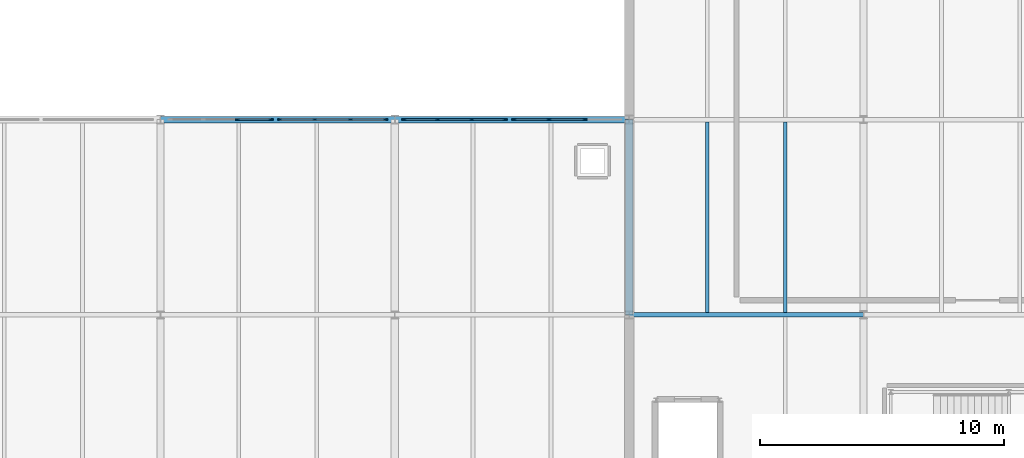
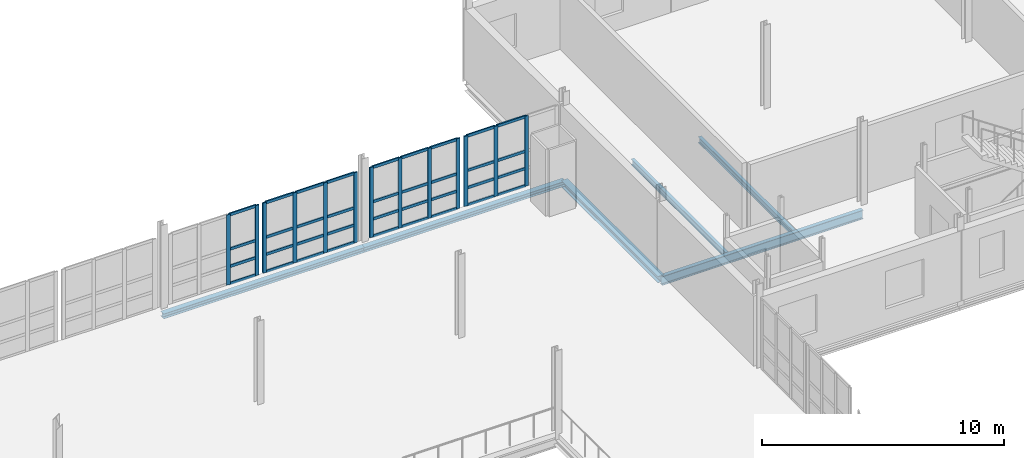
# One storey, part 37 of 73: 49 members, 6 beams, 4 elements without a shape of their own.
"""IFC4 building model written with IfcOpenShell, lengths in metres."""

from ifc_helpers import new_model, si_unit, direction, frame, origin, origin_2d, place, context, subcontext, project, spatial, rectangle, i_section, extrude, material, layer, layer_set, material_profile, profile_set, type_object, element, aggregate, save


model = new_model("IFC4")

# Units and contexts
model_context = context("Model", 3, precision=1e-05, world=origin(), true_north=direction((0.0, 1.0)))
body_context = subcontext(model_context, "Body", "Model", "MODEL_VIEW")
ifc_project = project(units=[si_unit("LENGTHUNIT", "METRE"), si_unit("AREAUNIT", "SQUARE_METRE"), si_unit("VOLUMEUNIT", "CUBIC_METRE"), si_unit("PLANEANGLEUNIT", "RADIAN"), si_unit("MASSUNIT", "GRAM", prefix="KILO")], contexts=[model_context])

# Site, building, storey
site_placement = place(None, origin())
site = spatial("IfcSite", under=ifc_project, at=site_placement, CompositionType="ELEMENT")
building_placement = place(site_placement, origin())
building = spatial("IfcBuilding", under=site, at=building_placement, Name="Alderhovde Museum", CompositionType="ELEMENT")
storey_placement = place(building_placement, frame((0.0, 0.0, 12.89990234375)))
storey = spatial("IfcBuildingStorey", under=building, at=storey_placement, Name="L03", CompositionType="ELEMENT", Elevation=12.89990234375)

# Beams
ifc_material_1 = material(Name="Steel S355J2", Category="steel")
ifc_material_profile_1 = material_profile(ifc_material_1, i_section(OverallWidth=0.300048828125, OverallDepth=0.330078125, WebThickness=0.009521484375, FlangeThickness=0.0166015625, FilletRadius=0.027099609375, at=origin_2d()), Name="HEA 340")
ifc_profile_set_1 = profile_set([ifc_material_profile_1], Name="Steel S355J2")
beam_type_1 = type_object("IfcBeamType", Name="BM-HEA340", PredefinedType="BEAM", material=ifc_profile_set_1)
beam_1_placement = place(storey_placement, frame((115.199951171875, 80.0, -0.48486328125), z_axis=(0.0, 1.0, 0.0), x_axis=(-1.0, 0.0, 0.0)))
element("IfcBeam", 1, at=beam_1_placement, inside=storey, type_object=beam_type_1, Name="L03 Grid Beam X=115.2 (80.0 TO 88.0)", PredefinedType="BEAM", context=body_context, shape_type="SweptSolid", body=[
    extrude(i_section(OverallWidth=0.300048828125, OverallDepth=0.330078125, WebThickness=0.009521484375, FlangeThickness=0.0166015625, FilletRadius=0.027099609375, at=origin_2d()), origin(), (0.0, 0.0, 1.0), 8.0),
])
ifc_material_2 = material(Name="Steel S355J2", Category="steel")
ifc_material_profile_2 = material_profile(ifc_material_2, i_section(OverallWidth=0.18994140625, OverallDepth=0.449951171875, WebThickness=0.009521484375, FlangeThickness=0.0146484375, FilletRadius=0.02099609375, at=origin_2d()), Name="IPE 450")
ifc_profile_set_2 = profile_set([ifc_material_profile_2], Name="Steel S355J2")
beam_type_2 = type_object("IfcBeamType", Name="BM-IPE450", PredefinedType="BEAM", material=ifc_profile_set_2)
beam_2_placement = place(storey_placement, frame((115.199951171875, 80.0, -0.544921875), z_axis=(1.0, 0.0, 0.0), x_axis=(0.0, 1.0, 0.0)))
element("IfcBeam", 2, at=beam_2_placement, inside=storey, type_object=beam_type_2, Name="L03 Grid Beam Y=80.0 (115.2 TO 124.8)", PredefinedType="BEAM", context=body_context, shape_type="SweptSolid", body=[
    extrude(i_section(OverallWidth=0.18994140625, OverallDepth=0.449951171875, WebThickness=0.009521484375, FlangeThickness=0.0146484375, FilletRadius=0.02099609375, at=origin_2d()), origin(), (0.0, 0.0, 1.0), 9.60009765625),
])

# Curtain wall, members
ifc_material_3 = material(Name="Triple-Glazed Bronze-Anodised Curtain Wall", Category="glass")
ifc_layer_1 = layer(ifc_material_3, 0.179931640625)
ifc_layer_set_1 = layer_set([ifc_layer_1], Name="Triple-Glazed Bronze-Anodised Curtain Wall")
curtain_wall_type_1 = type_object("IfcCurtainWallType", Name="CW-UNIT-420x354", PredefinedType="USERDEFINED", material=ifc_layer_set_1)
curtain_wall_1_placement = place(storey_placement, origin())
curtain_wall_1 = element("IfcCurtainWall", 3, at=curtain_wall_1_placement, inside=storey, type_object=curtain_wall_type_1, Name="L03 Unitised Curtain Wall 52", ObjectType="UNITISED CURTAIN WALL", PredefinedType="USERDEFINED")
ifc_material_4 = material(Name="Bronze-Anodised Aluminium EN AW-6063-T6", Category="aluminium")
ifc_material_profile_3 = material_profile(ifc_material_4, rectangle(XDim=0.06494140625, YDim=0.179931640625, at=origin_2d()), Name="MULLION 65x180")
ifc_profile_set_3 = profile_set([ifc_material_profile_3], Name="Bronze-Anodised Aluminium EN AW-6063-T6")
member_type_1 = type_object("IfcMemberType", Name="CWM-65x180", PredefinedType="MULLION", material=ifc_profile_set_3)
member_1_placement = place(storey_placement, frame((99.14990234375, 88.0, 0.0), z_axis=(0.0, 0.0, 1.0), x_axis=(0.0, 1.0, 0.0)))
member_1 = element("IfcMember", 4, at=member_1_placement, type_object=member_type_1, Name="CW15 mullion 3", PredefinedType="MULLION", context=body_context, shape_type="SweptSolid", body=[
    extrude(rectangle(XDim=0.06494140625, YDim=0.179931640625, at=origin_2d()), origin(), (0.0, 0.0, 1.0), 3.5400390625),
])
member_2_placement = place(storey_placement, frame((100.517578125, 88.0, 0.0), z_axis=(0.0, 0.0, 1.0), x_axis=(0.0, 1.0, 0.0)))
member_2 = element("IfcMember", 5, at=member_2_placement, type_object=member_type_1, Name="CW15 mullion 4", PredefinedType="MULLION", context=body_context, shape_type="SweptSolid", body=[
    extrude(rectangle(XDim=0.06494140625, YDim=0.179931640625, at=origin_2d()), origin(), (0.0, 0.0, 1.0), 3.5400390625),
])

ifc_material_5 = material(Name="Triple-Glazed Bronze-Anodised Curtain Wall", Category="glass")
ifc_layer_2 = layer(ifc_material_5, 0.179931640625)
ifc_layer_set_2 = layer_set([ifc_layer_2], Name="Triple-Glazed Bronze-Anodised Curtain Wall")
curtain_wall_type_2 = type_object("IfcCurtainWallType", Name="CW-UNIT-440x354", PredefinedType="USERDEFINED", material=ifc_layer_set_2)
curtain_wall_2_placement = place(storey_placement, origin())
curtain_wall_2 = element("IfcCurtainWall", 6, at=curtain_wall_2_placement, inside=storey, type_object=curtain_wall_type_2, Name="L03 Unitised Curtain Wall 53", ObjectType="UNITISED CURTAIN WALL", PredefinedType="USERDEFINED")
member_3_placement = place(storey_placement, frame((100.882568359375, 88.0, 0.0), z_axis=(0.0, 0.0, 1.0), x_axis=(0.0, 1.0, 0.0)))
member_3 = element("IfcMember", 7, at=member_3_placement, type_object=member_type_1, Name="CW16 mullion 1", PredefinedType="MULLION", context=body_context, shape_type="SweptSolid", body=[
    extrude(rectangle(XDim=0.06494140625, YDim=0.179931640625, at=origin_2d()), origin(), (0.0, 0.0, 1.0), 3.5400390625),
])
member_4_placement = place(storey_placement, frame((102.316650390625, 88.0, 0.0), z_axis=(0.0, 0.0, 1.0), x_axis=(0.0, 1.0, 0.0)))
member_4 = element("IfcMember", 8, at=member_4_placement, type_object=member_type_1, Name="CW16 mullion 2", PredefinedType="MULLION", context=body_context, shape_type="SweptSolid", body=[
    extrude(rectangle(XDim=0.06494140625, YDim=0.179931640625, at=origin_2d()), origin(), (0.0, 0.0, 1.0), 3.5400390625),
])
member_5_placement = place(storey_placement, frame((103.783447265625, 88.0, 0.0), z_axis=(0.0, 0.0, 1.0), x_axis=(0.0, 1.0, 0.0)))
member_5 = element("IfcMember", 9, at=member_5_placement, type_object=member_type_1, Name="CW16 mullion 3", PredefinedType="MULLION", context=body_context, shape_type="SweptSolid", body=[
    extrude(rectangle(XDim=0.06494140625, YDim=0.179931640625, at=origin_2d()), origin(), (0.0, 0.0, 1.0), 3.5400390625),
])
member_6_placement = place(storey_placement, frame((105.217529296875, 88.0, 0.0), z_axis=(0.0, 0.0, 1.0), x_axis=(0.0, 1.0, 0.0)))
member_6 = element("IfcMember", 10, at=member_6_placement, type_object=member_type_1, Name="CW16 mullion 4", PredefinedType="MULLION", context=body_context, shape_type="SweptSolid", body=[
    extrude(rectangle(XDim=0.06494140625, YDim=0.179931640625, at=origin_2d()), origin(), (0.0, 0.0, 1.0), 3.5400390625),
])

curtain_wall_3_placement = place(storey_placement, origin())
curtain_wall_3 = element("IfcCurtainWall", 11, at=curtain_wall_3_placement, inside=storey, type_object=curtain_wall_type_1, Name="L03 Unitised Curtain Wall 54", ObjectType="UNITISED CURTAIN WALL", PredefinedType="USERDEFINED")
member_7_placement = place(storey_placement, frame((105.982421875, 88.0, 0.0), z_axis=(0.0, 0.0, 1.0), x_axis=(0.0, 1.0, 0.0)))
member_7 = element("IfcMember", 12, at=member_7_placement, type_object=member_type_1, Name="CW15 mullion 1", PredefinedType="MULLION", context=body_context, shape_type="SweptSolid", body=[
    extrude(rectangle(XDim=0.06494140625, YDim=0.179931640625, at=origin_2d()), origin(), (0.0, 0.0, 1.0), 3.5400390625),
])
member_8_placement = place(storey_placement, frame((107.35009765625, 88.0, 0.0), z_axis=(0.0, 0.0, 1.0), x_axis=(0.0, 1.0, 0.0)))
member_8 = element("IfcMember", 13, at=member_8_placement, type_object=member_type_1, Name="CW15 mullion 2", PredefinedType="MULLION", context=body_context, shape_type="SweptSolid", body=[
    extrude(rectangle(XDim=0.06494140625, YDim=0.179931640625, at=origin_2d()), origin(), (0.0, 0.0, 1.0), 3.5400390625),
])
member_9_placement = place(storey_placement, frame((108.75, 88.0, 0.0), z_axis=(0.0, 0.0, 1.0), x_axis=(0.0, 1.0, 0.0)))
member_9 = element("IfcMember", 14, at=member_9_placement, type_object=member_type_1, Name="CW15 mullion 3", PredefinedType="MULLION", context=body_context, shape_type="SweptSolid", body=[
    extrude(rectangle(XDim=0.06494140625, YDim=0.179931640625, at=origin_2d()), origin(), (0.0, 0.0, 1.0), 3.5400390625),
])
member_10_placement = place(storey_placement, frame((110.117431640625, 88.0, 0.0), z_axis=(0.0, 0.0, 1.0), x_axis=(0.0, 1.0, 0.0)))
member_10 = element("IfcMember", 15, at=member_10_placement, type_object=member_type_1, Name="CW15 mullion 4", PredefinedType="MULLION", context=body_context, shape_type="SweptSolid", body=[
    extrude(rectangle(XDim=0.06494140625, YDim=0.179931640625, at=origin_2d()), origin(), (0.0, 0.0, 1.0), 3.5400390625),
])

curtain_wall_4_placement = place(storey_placement, origin())
curtain_wall_4 = element("IfcCurtainWall", 16, at=curtain_wall_4_placement, inside=storey, type_object=curtain_wall_type_2, Name="L03 Unitised Curtain Wall 55", ObjectType="UNITISED CURTAIN WALL", PredefinedType="USERDEFINED")
member_11_placement = place(storey_placement, frame((110.482421875, 88.0, 0.0), z_axis=(0.0, 0.0, 1.0), x_axis=(0.0, 1.0, 0.0)))
member_11 = element("IfcMember", 17, at=member_11_placement, type_object=member_type_1, Name="CW16 mullion 1", PredefinedType="MULLION", context=body_context, shape_type="SweptSolid", body=[
    extrude(rectangle(XDim=0.06494140625, YDim=0.179931640625, at=origin_2d()), origin(), (0.0, 0.0, 1.0), 3.5400390625),
])
member_12_placement = place(storey_placement, frame((111.916748046875, 88.0, 0.0), z_axis=(0.0, 0.0, 1.0), x_axis=(0.0, 1.0, 0.0)))
member_12 = element("IfcMember", 18, at=member_12_placement, type_object=member_type_1, Name="CW16 mullion 2", PredefinedType="MULLION", context=body_context, shape_type="SweptSolid", body=[
    extrude(rectangle(XDim=0.06494140625, YDim=0.179931640625, at=origin_2d()), origin(), (0.0, 0.0, 1.0), 3.5400390625),
])
member_13_placement = place(storey_placement, frame((113.38330078125, 88.0, 0.0), z_axis=(0.0, 0.0, 1.0), x_axis=(0.0, 1.0, 0.0)))
member_13 = element("IfcMember", 19, at=member_13_placement, type_object=member_type_1, Name="CW16 mullion 3", PredefinedType="MULLION", context=body_context, shape_type="SweptSolid", body=[
    extrude(rectangle(XDim=0.06494140625, YDim=0.179931640625, at=origin_2d()), origin(), (0.0, 0.0, 1.0), 3.5400390625),
])

# Member
ifc_material_6 = material(Name="Bronze-Anodised Aluminium EN AW-6063-T6", Category="aluminium")
ifc_material_profile_4 = material_profile(ifc_material_6, rectangle(XDim=0.06494140625, YDim=0.139892578125, at=origin_2d()), Name="TRANSOM 65x140")
ifc_profile_set_4 = profile_set([ifc_material_profile_4], Name="Bronze-Anodised Aluminium EN AW-6063-T6")
member_type_2 = type_object("IfcMemberType", Name="CWT-65x140", PredefinedType="USERDEFINED", material=ifc_profile_set_4)
member_14_placement = place(storey_placement, frame((99.1826171875, 88.0, 0.03271484375), z_axis=(1.0, 0.0, 0.0), x_axis=(0.0, 1.0, 0.0)))
member_14 = element("IfcMember", 20, at=member_14_placement, type_object=member_type_2, Name="CW15 transom 3.1", ObjectType="TRANSOM", PredefinedType="USERDEFINED", context=body_context, shape_type="SweptSolid", body=[
    extrude(rectangle(XDim=0.06494140625, YDim=0.139892578125, at=origin_2d()), origin(), (0.0, 0.0, 1.0), 1.302490234375),
])

member_15_placement = place(storey_placement, frame((99.1826171875, 88.0, 0.900146484375), z_axis=(1.0, 0.0, 0.0), x_axis=(0.0, 1.0, 0.0)))
member_15 = element("IfcMember", 21, at=member_15_placement, type_object=member_type_2, Name="CW15 transom 3.2", ObjectType="TRANSOM", PredefinedType="USERDEFINED", context=body_context, shape_type="SweptSolid", body=[
    extrude(rectangle(XDim=0.06494140625, YDim=0.139892578125, at=origin_2d()), origin(), (0.0, 0.0, 1.0), 1.302490234375),
])

member_16_placement = place(storey_placement, frame((99.1826171875, 88.0, 1.77001953125), z_axis=(1.0, 0.0, 0.0), x_axis=(0.0, 1.0, 0.0)))
member_16 = element("IfcMember", 22, at=member_16_placement, type_object=member_type_2, Name="CW15 transom 3.3", ObjectType="TRANSOM", PredefinedType="USERDEFINED", context=body_context, shape_type="SweptSolid", body=[
    extrude(rectangle(XDim=0.06494140625, YDim=0.139892578125, at=origin_2d()), origin(), (0.0, 0.0, 1.0), 1.302490234375),
])

member_17_placement = place(storey_placement, frame((99.1826171875, 88.0, 3.507568359375), z_axis=(1.0, 0.0, 0.0), x_axis=(0.0, 1.0, 0.0)))
member_17 = element("IfcMember", 23, at=member_17_placement, type_object=member_type_2, Name="CW15 transom 3.4", ObjectType="TRANSOM", PredefinedType="USERDEFINED", context=body_context, shape_type="SweptSolid", body=[
    extrude(rectangle(XDim=0.06494140625, YDim=0.139892578125, at=origin_2d()), origin(), (0.0, 0.0, 1.0), 1.302490234375),
])

aggregate(curtain_wall_1, [member_1, member_2, member_14, member_15, member_16, member_17])

member_18_placement = place(storey_placement, frame((100.9150390625, 88.0, 0.03271484375), z_axis=(1.0, 0.0, 0.0), x_axis=(0.0, 1.0, 0.0)))
member_18 = element("IfcMember", 24, at=member_18_placement, type_object=member_type_2, Name="CW16 transom 1.1", ObjectType="TRANSOM", PredefinedType="USERDEFINED", context=body_context, shape_type="SweptSolid", body=[
    extrude(rectangle(XDim=0.06494140625, YDim=0.139892578125, at=origin_2d()), origin(), (0.0, 0.0, 1.0), 1.369140625),
])

member_19_placement = place(storey_placement, frame((100.9150390625, 88.0, 0.900146484375), z_axis=(1.0, 0.0, 0.0), x_axis=(0.0, 1.0, 0.0)))
member_19 = element("IfcMember", 25, at=member_19_placement, type_object=member_type_2, Name="CW16 transom 1.2", ObjectType="TRANSOM", PredefinedType="USERDEFINED", context=body_context, shape_type="SweptSolid", body=[
    extrude(rectangle(XDim=0.06494140625, YDim=0.139892578125, at=origin_2d()), origin(), (0.0, 0.0, 1.0), 1.369140625),
])

member_20_placement = place(storey_placement, frame((100.9150390625, 88.0, 1.77001953125), z_axis=(1.0, 0.0, 0.0), x_axis=(0.0, 1.0, 0.0)))
member_20 = element("IfcMember", 26, at=member_20_placement, type_object=member_type_2, Name="CW16 transom 1.3", ObjectType="TRANSOM", PredefinedType="USERDEFINED", context=body_context, shape_type="SweptSolid", body=[
    extrude(rectangle(XDim=0.06494140625, YDim=0.139892578125, at=origin_2d()), origin(), (0.0, 0.0, 1.0), 1.369140625),
])

member_21_placement = place(storey_placement, frame((100.9150390625, 88.0, 3.507568359375), z_axis=(1.0, 0.0, 0.0), x_axis=(0.0, 1.0, 0.0)))
member_21 = element("IfcMember", 27, at=member_21_placement, type_object=member_type_2, Name="CW16 transom 1.4", ObjectType="TRANSOM", PredefinedType="USERDEFINED", context=body_context, shape_type="SweptSolid", body=[
    extrude(rectangle(XDim=0.06494140625, YDim=0.139892578125, at=origin_2d()), origin(), (0.0, 0.0, 1.0), 1.369140625),
])

member_22_placement = place(storey_placement, frame((102.34912109375, 88.0, 0.03271484375), z_axis=(1.0, 0.0, 0.0), x_axis=(0.0, 1.0, 0.0)))
member_22 = element("IfcMember", 28, at=member_22_placement, type_object=member_type_2, Name="CW16 transom 2.1", ObjectType="TRANSOM", PredefinedType="USERDEFINED", context=body_context, shape_type="SweptSolid", body=[
    extrude(rectangle(XDim=0.06494140625, YDim=0.139892578125, at=origin_2d()), origin(), (0.0, 0.0, 1.0), 1.401611328125),
])

member_23_placement = place(storey_placement, frame((102.34912109375, 88.0, 0.900146484375), z_axis=(1.0, 0.0, 0.0), x_axis=(0.0, 1.0, 0.0)))
member_23 = element("IfcMember", 29, at=member_23_placement, type_object=member_type_2, Name="CW16 transom 2.2", ObjectType="TRANSOM", PredefinedType="USERDEFINED", context=body_context, shape_type="SweptSolid", body=[
    extrude(rectangle(XDim=0.06494140625, YDim=0.139892578125, at=origin_2d()), origin(), (0.0, 0.0, 1.0), 1.401611328125),
])

member_24_placement = place(storey_placement, frame((102.34912109375, 88.0, 1.77001953125), z_axis=(1.0, 0.0, 0.0), x_axis=(0.0, 1.0, 0.0)))
member_24 = element("IfcMember", 30, at=member_24_placement, type_object=member_type_2, Name="CW16 transom 2.3", ObjectType="TRANSOM", PredefinedType="USERDEFINED", context=body_context, shape_type="SweptSolid", body=[
    extrude(rectangle(XDim=0.06494140625, YDim=0.139892578125, at=origin_2d()), origin(), (0.0, 0.0, 1.0), 1.401611328125),
])

member_25_placement = place(storey_placement, frame((102.34912109375, 88.0, 3.507568359375), z_axis=(1.0, 0.0, 0.0), x_axis=(0.0, 1.0, 0.0)))
member_25 = element("IfcMember", 31, at=member_25_placement, type_object=member_type_2, Name="CW16 transom 2.4", ObjectType="TRANSOM", PredefinedType="USERDEFINED", context=body_context, shape_type="SweptSolid", body=[
    extrude(rectangle(XDim=0.06494140625, YDim=0.139892578125, at=origin_2d()), origin(), (0.0, 0.0, 1.0), 1.401611328125),
])

member_26_placement = place(storey_placement, frame((103.81591796875, 88.0, 0.03271484375), z_axis=(1.0, 0.0, 0.0), x_axis=(0.0, 1.0, 0.0)))
member_26 = element("IfcMember", 32, at=member_26_placement, type_object=member_type_2, Name="CW16 transom 3.1", ObjectType="TRANSOM", PredefinedType="USERDEFINED", context=body_context, shape_type="SweptSolid", body=[
    extrude(rectangle(XDim=0.06494140625, YDim=0.139892578125, at=origin_2d()), origin(), (0.0, 0.0, 1.0), 1.369140625),
])

member_27_placement = place(storey_placement, frame((103.81591796875, 88.0, 0.900146484375), z_axis=(1.0, 0.0, 0.0), x_axis=(0.0, 1.0, 0.0)))
member_27 = element("IfcMember", 33, at=member_27_placement, type_object=member_type_2, Name="CW16 transom 3.2", ObjectType="TRANSOM", PredefinedType="USERDEFINED", context=body_context, shape_type="SweptSolid", body=[
    extrude(rectangle(XDim=0.06494140625, YDim=0.139892578125, at=origin_2d()), origin(), (0.0, 0.0, 1.0), 1.369140625),
])

member_28_placement = place(storey_placement, frame((103.81591796875, 88.0, 1.77001953125), z_axis=(1.0, 0.0, 0.0), x_axis=(0.0, 1.0, 0.0)))
member_28 = element("IfcMember", 34, at=member_28_placement, type_object=member_type_2, Name="CW16 transom 3.3", ObjectType="TRANSOM", PredefinedType="USERDEFINED", context=body_context, shape_type="SweptSolid", body=[
    extrude(rectangle(XDim=0.06494140625, YDim=0.139892578125, at=origin_2d()), origin(), (0.0, 0.0, 1.0), 1.369140625),
])

member_29_placement = place(storey_placement, frame((103.81591796875, 88.0, 3.507568359375), z_axis=(1.0, 0.0, 0.0), x_axis=(0.0, 1.0, 0.0)))
member_29 = element("IfcMember", 35, at=member_29_placement, type_object=member_type_2, Name="CW16 transom 3.4", ObjectType="TRANSOM", PredefinedType="USERDEFINED", context=body_context, shape_type="SweptSolid", body=[
    extrude(rectangle(XDim=0.06494140625, YDim=0.139892578125, at=origin_2d()), origin(), (0.0, 0.0, 1.0), 1.369140625),
])

aggregate(curtain_wall_2, [member_3, member_4, member_5, member_6, member_18, member_19, member_20, member_21, member_22, member_23, member_24, member_25, member_26, member_27, member_28, member_29])

member_30_placement = place(storey_placement, frame((106.014892578125, 88.0, 0.03271484375), z_axis=(1.0, 0.0, 0.0), x_axis=(0.0, 1.0, 0.0)))
member_30 = element("IfcMember", 36, at=member_30_placement, type_object=member_type_2, Name="CW15 transom 1.1", ObjectType="TRANSOM", PredefinedType="USERDEFINED", context=body_context, shape_type="SweptSolid", body=[
    extrude(rectangle(XDim=0.06494140625, YDim=0.139892578125, at=origin_2d()), origin(), (0.0, 0.0, 1.0), 1.302490234375),
])

member_31_placement = place(storey_placement, frame((106.014892578125, 88.0, 0.900146484375), z_axis=(1.0, 0.0, 0.0), x_axis=(0.0, 1.0, 0.0)))
member_31 = element("IfcMember", 37, at=member_31_placement, type_object=member_type_2, Name="CW15 transom 1.2", ObjectType="TRANSOM", PredefinedType="USERDEFINED", context=body_context, shape_type="SweptSolid", body=[
    extrude(rectangle(XDim=0.06494140625, YDim=0.139892578125, at=origin_2d()), origin(), (0.0, 0.0, 1.0), 1.302490234375),
])

member_32_placement = place(storey_placement, frame((106.014892578125, 88.0, 1.77001953125), z_axis=(1.0, 0.0, 0.0), x_axis=(0.0, 1.0, 0.0)))
member_32 = element("IfcMember", 38, at=member_32_placement, type_object=member_type_2, Name="CW15 transom 1.3", ObjectType="TRANSOM", PredefinedType="USERDEFINED", context=body_context, shape_type="SweptSolid", body=[
    extrude(rectangle(XDim=0.06494140625, YDim=0.139892578125, at=origin_2d()), origin(), (0.0, 0.0, 1.0), 1.302490234375),
])

member_33_placement = place(storey_placement, frame((106.014892578125, 88.0, 3.507568359375), z_axis=(1.0, 0.0, 0.0), x_axis=(0.0, 1.0, 0.0)))
member_33 = element("IfcMember", 39, at=member_33_placement, type_object=member_type_2, Name="CW15 transom 1.4", ObjectType="TRANSOM", PredefinedType="USERDEFINED", context=body_context, shape_type="SweptSolid", body=[
    extrude(rectangle(XDim=0.06494140625, YDim=0.139892578125, at=origin_2d()), origin(), (0.0, 0.0, 1.0), 1.302490234375),
])

member_34_placement = place(storey_placement, frame((107.382568359375, 88.0, 0.03271484375), z_axis=(1.0, 0.0, 0.0), x_axis=(0.0, 1.0, 0.0)))
member_34 = element("IfcMember", 40, at=member_34_placement, type_object=member_type_2, Name="CW15 transom 2.1", ObjectType="TRANSOM", PredefinedType="USERDEFINED", context=body_context, shape_type="SweptSolid", body=[
    extrude(rectangle(XDim=0.06494140625, YDim=0.139892578125, at=origin_2d()), origin(), (0.0, 0.0, 1.0), 1.3349609375),
])

member_35_placement = place(storey_placement, frame((107.382568359375, 88.0, 0.900146484375), z_axis=(1.0, 0.0, 0.0), x_axis=(0.0, 1.0, 0.0)))
member_35 = element("IfcMember", 41, at=member_35_placement, type_object=member_type_2, Name="CW15 transom 2.2", ObjectType="TRANSOM", PredefinedType="USERDEFINED", context=body_context, shape_type="SweptSolid", body=[
    extrude(rectangle(XDim=0.06494140625, YDim=0.139892578125, at=origin_2d()), origin(), (0.0, 0.0, 1.0), 1.3349609375),
])

member_36_placement = place(storey_placement, frame((107.382568359375, 88.0, 1.77001953125), z_axis=(1.0, 0.0, 0.0), x_axis=(0.0, 1.0, 0.0)))
member_36 = element("IfcMember", 42, at=member_36_placement, type_object=member_type_2, Name="CW15 transom 2.3", ObjectType="TRANSOM", PredefinedType="USERDEFINED", context=body_context, shape_type="SweptSolid", body=[
    extrude(rectangle(XDim=0.06494140625, YDim=0.139892578125, at=origin_2d()), origin(), (0.0, 0.0, 1.0), 1.3349609375),
])

member_37_placement = place(storey_placement, frame((107.382568359375, 88.0, 3.507568359375), z_axis=(1.0, 0.0, 0.0), x_axis=(0.0, 1.0, 0.0)))
member_37 = element("IfcMember", 43, at=member_37_placement, type_object=member_type_2, Name="CW15 transom 2.4", ObjectType="TRANSOM", PredefinedType="USERDEFINED", context=body_context, shape_type="SweptSolid", body=[
    extrude(rectangle(XDim=0.06494140625, YDim=0.139892578125, at=origin_2d()), origin(), (0.0, 0.0, 1.0), 1.3349609375),
])

member_38_placement = place(storey_placement, frame((108.782470703125, 88.0, 0.03271484375), z_axis=(1.0, 0.0, 0.0), x_axis=(0.0, 1.0, 0.0)))
member_38 = element("IfcMember", 44, at=member_38_placement, type_object=member_type_2, Name="CW15 transom 3.1", ObjectType="TRANSOM", PredefinedType="USERDEFINED", context=body_context, shape_type="SweptSolid", body=[
    extrude(rectangle(XDim=0.06494140625, YDim=0.139892578125, at=origin_2d()), origin(), (0.0, 0.0, 1.0), 1.302490234375),
])

member_39_placement = place(storey_placement, frame((108.782470703125, 88.0, 0.900146484375), z_axis=(1.0, 0.0, 0.0), x_axis=(0.0, 1.0, 0.0)))
member_39 = element("IfcMember", 45, at=member_39_placement, type_object=member_type_2, Name="CW15 transom 3.2", ObjectType="TRANSOM", PredefinedType="USERDEFINED", context=body_context, shape_type="SweptSolid", body=[
    extrude(rectangle(XDim=0.06494140625, YDim=0.139892578125, at=origin_2d()), origin(), (0.0, 0.0, 1.0), 1.302490234375),
])

member_40_placement = place(storey_placement, frame((108.782470703125, 88.0, 1.77001953125), z_axis=(1.0, 0.0, 0.0), x_axis=(0.0, 1.0, 0.0)))
member_40 = element("IfcMember", 46, at=member_40_placement, type_object=member_type_2, Name="CW15 transom 3.3", ObjectType="TRANSOM", PredefinedType="USERDEFINED", context=body_context, shape_type="SweptSolid", body=[
    extrude(rectangle(XDim=0.06494140625, YDim=0.139892578125, at=origin_2d()), origin(), (0.0, 0.0, 1.0), 1.302490234375),
])

member_41_placement = place(storey_placement, frame((108.782470703125, 88.0, 3.507568359375), z_axis=(1.0, 0.0, 0.0), x_axis=(0.0, 1.0, 0.0)))
member_41 = element("IfcMember", 47, at=member_41_placement, type_object=member_type_2, Name="CW15 transom 3.4", ObjectType="TRANSOM", PredefinedType="USERDEFINED", context=body_context, shape_type="SweptSolid", body=[
    extrude(rectangle(XDim=0.06494140625, YDim=0.139892578125, at=origin_2d()), origin(), (0.0, 0.0, 1.0), 1.302490234375),
])

aggregate(curtain_wall_3, [member_7, member_8, member_9, member_10, member_30, member_31, member_32, member_33, member_34, member_35, member_36, member_37, member_38, member_39, member_40, member_41])

member_42_placement = place(storey_placement, frame((110.514892578125, 88.0, 0.03271484375), z_axis=(1.0, 0.0, 0.0), x_axis=(0.0, 1.0, 0.0)))
member_42 = element("IfcMember", 48, at=member_42_placement, type_object=member_type_2, Name="CW16 transom 1.1", ObjectType="TRANSOM", PredefinedType="USERDEFINED", context=body_context, shape_type="SweptSolid", body=[
    extrude(rectangle(XDim=0.06494140625, YDim=0.139892578125, at=origin_2d()), origin(), (0.0, 0.0, 1.0), 1.369384765625),
])

member_43_placement = place(storey_placement, frame((110.514892578125, 88.0, 0.900146484375), z_axis=(1.0, 0.0, 0.0), x_axis=(0.0, 1.0, 0.0)))
member_43 = element("IfcMember", 49, at=member_43_placement, type_object=member_type_2, Name="CW16 transom 1.2", ObjectType="TRANSOM", PredefinedType="USERDEFINED", context=body_context, shape_type="SweptSolid", body=[
    extrude(rectangle(XDim=0.06494140625, YDim=0.139892578125, at=origin_2d()), origin(), (0.0, 0.0, 1.0), 1.369384765625),
])

member_44_placement = place(storey_placement, frame((110.514892578125, 88.0, 1.77001953125), z_axis=(1.0, 0.0, 0.0), x_axis=(0.0, 1.0, 0.0)))
member_44 = element("IfcMember", 50, at=member_44_placement, type_object=member_type_2, Name="CW16 transom 1.3", ObjectType="TRANSOM", PredefinedType="USERDEFINED", context=body_context, shape_type="SweptSolid", body=[
    extrude(rectangle(XDim=0.06494140625, YDim=0.139892578125, at=origin_2d()), origin(), (0.0, 0.0, 1.0), 1.369384765625),
])

member_45_placement = place(storey_placement, frame((110.514892578125, 88.0, 3.507568359375), z_axis=(1.0, 0.0, 0.0), x_axis=(0.0, 1.0, 0.0)))
member_45 = element("IfcMember", 51, at=member_45_placement, type_object=member_type_2, Name="CW16 transom 1.4", ObjectType="TRANSOM", PredefinedType="USERDEFINED", context=body_context, shape_type="SweptSolid", body=[
    extrude(rectangle(XDim=0.06494140625, YDim=0.139892578125, at=origin_2d()), origin(), (0.0, 0.0, 1.0), 1.369384765625),
])

member_46_placement = place(storey_placement, frame((111.94921875, 88.0, 0.03271484375), z_axis=(1.0, 0.0, 0.0), x_axis=(0.0, 1.0, 0.0)))
member_46 = element("IfcMember", 52, at=member_46_placement, type_object=member_type_2, Name="CW16 transom 2.1", ObjectType="TRANSOM", PredefinedType="USERDEFINED", context=body_context, shape_type="SweptSolid", body=[
    extrude(rectangle(XDim=0.06494140625, YDim=0.139892578125, at=origin_2d()), origin(), (0.0, 0.0, 1.0), 1.401611328125),
])

member_47_placement = place(storey_placement, frame((111.94921875, 88.0, 0.900146484375), z_axis=(1.0, 0.0, 0.0), x_axis=(0.0, 1.0, 0.0)))
member_47 = element("IfcMember", 53, at=member_47_placement, type_object=member_type_2, Name="CW16 transom 2.2", ObjectType="TRANSOM", PredefinedType="USERDEFINED", context=body_context, shape_type="SweptSolid", body=[
    extrude(rectangle(XDim=0.06494140625, YDim=0.139892578125, at=origin_2d()), origin(), (0.0, 0.0, 1.0), 1.401611328125),
])

member_48_placement = place(storey_placement, frame((111.94921875, 88.0, 1.77001953125), z_axis=(1.0, 0.0, 0.0), x_axis=(0.0, 1.0, 0.0)))
member_48 = element("IfcMember", 54, at=member_48_placement, type_object=member_type_2, Name="CW16 transom 2.3", ObjectType="TRANSOM", PredefinedType="USERDEFINED", context=body_context, shape_type="SweptSolid", body=[
    extrude(rectangle(XDim=0.06494140625, YDim=0.139892578125, at=origin_2d()), origin(), (0.0, 0.0, 1.0), 1.401611328125),
])

member_49_placement = place(storey_placement, frame((111.94921875, 88.0, 3.507568359375), z_axis=(1.0, 0.0, 0.0), x_axis=(0.0, 1.0, 0.0)))
member_49 = element("IfcMember", 55, at=member_49_placement, type_object=member_type_2, Name="CW16 transom 2.4", ObjectType="TRANSOM", PredefinedType="USERDEFINED", context=body_context, shape_type="SweptSolid", body=[
    extrude(rectangle(XDim=0.06494140625, YDim=0.139892578125, at=origin_2d()), origin(), (0.0, 0.0, 1.0), 1.401611328125),
])

aggregate(curtain_wall_4, [member_11, member_12, member_13, member_42, member_43, member_44, member_45, member_46, member_47, member_48, member_49])

# Beams
ifc_material_7 = material(Name="Steel S355J2", Category="steel")
ifc_material_profile_5 = material_profile(ifc_material_7, i_section(OverallWidth=0.14990234375, OverallDepth=0.300048828125, WebThickness=0.007080078125, FlangeThickness=0.0107421875, FilletRadius=0.014892578125, at=origin_2d()), Name="IPE 300")
ifc_profile_set_5 = profile_set([ifc_material_profile_5], Name="Steel S355J2")
beam_type_3 = type_object("IfcBeamType", Name="JST-IPE300", PredefinedType="JOIST", material=ifc_profile_set_5)
for number, where, z_axis, x_axis, name in (
    (56, (118.39990234375, 80.094970703125, -0.469970703125), (0.0, 1.0, 0.0), (-1.0, 0.0, 0.0), "L03 Composite Joist X=118.4 (80.0 TO 88.0)"),
    (57, (121.60009765625, 80.094970703125, -0.469970703125), (0.0, 1.0, 0.0), (-1.0, 0.0, 0.0), "L03 Composite Joist X=121.6 (80.0 TO 88.0)"),
):
    element("IfcBeam", number, at=place(storey_placement, frame(where, z_axis=z_axis, x_axis=x_axis)), inside=storey, type_object=beam_type_3, Name=name, PredefinedType="JOIST", context=body_context, shape_type="SweptSolid", body=[
        extrude(i_section(OverallWidth=0.14990234375, OverallDepth=0.300048828125, WebThickness=0.007080078125, FlangeThickness=0.0107421875, FilletRadius=0.014892578125, at=origin_2d()), origin(), (0.0, 0.0, 1.0), 7.81005859375),
    ])
ifc_material_8 = material(Name="Steel S355J2", Category="steel")
ifc_material_profile_6 = material_profile(ifc_material_8, i_section(OverallWidth=0.260009765625, OverallDepth=0.25, WebThickness=0.007568359375, FlangeThickness=0.012451171875, FilletRadius=0.02392578125, at=origin_2d()), Name="HEA 260")
ifc_profile_set_6 = profile_set([ifc_material_profile_6], Name="Steel S355J2")
beam_type_4 = type_object("IfcBeamType", Name="SPD-HEA260", PredefinedType="SPANDREL", material=ifc_profile_set_6)
beam_3_placement = place(storey_placement, frame((96.0, 88.0, -0.44482421875), z_axis=(1.0, 0.0, 0.0), x_axis=(0.0, 1.0, 0.0)))
element("IfcBeam", 58, at=beam_3_placement, inside=storey, type_object=beam_type_4, Name="L03 Grid Beam Y=88.0 (96.0 TO 105.6)", PredefinedType="SPANDREL", context=body_context, shape_type="SweptSolid", body=[
    extrude(i_section(OverallWidth=0.260009765625, OverallDepth=0.25, WebThickness=0.007568359375, FlangeThickness=0.012451171875, FilletRadius=0.02392578125, at=origin_2d()), origin(), (0.0, 0.0, 1.0), 9.60009765625),
])
beam_4_placement = place(storey_placement, frame((105.60009765625, 88.0, -0.44482421875), z_axis=(1.0, 0.0, 0.0), x_axis=(0.0, 1.0, 0.0)))
element("IfcBeam", 59, at=beam_4_placement, inside=storey, type_object=beam_type_4, Name="L03 Grid Beam Y=88.0 (105.6 TO 115.2)", PredefinedType="SPANDREL", context=body_context, shape_type="SweptSolid", body=[
    extrude(i_section(OverallWidth=0.260009765625, OverallDepth=0.25, WebThickness=0.007568359375, FlangeThickness=0.012451171875, FilletRadius=0.02392578125, at=origin_2d()), origin(), (0.0, 0.0, 1.0), 9.599853515625),
])

save(model, "model.ifc")
